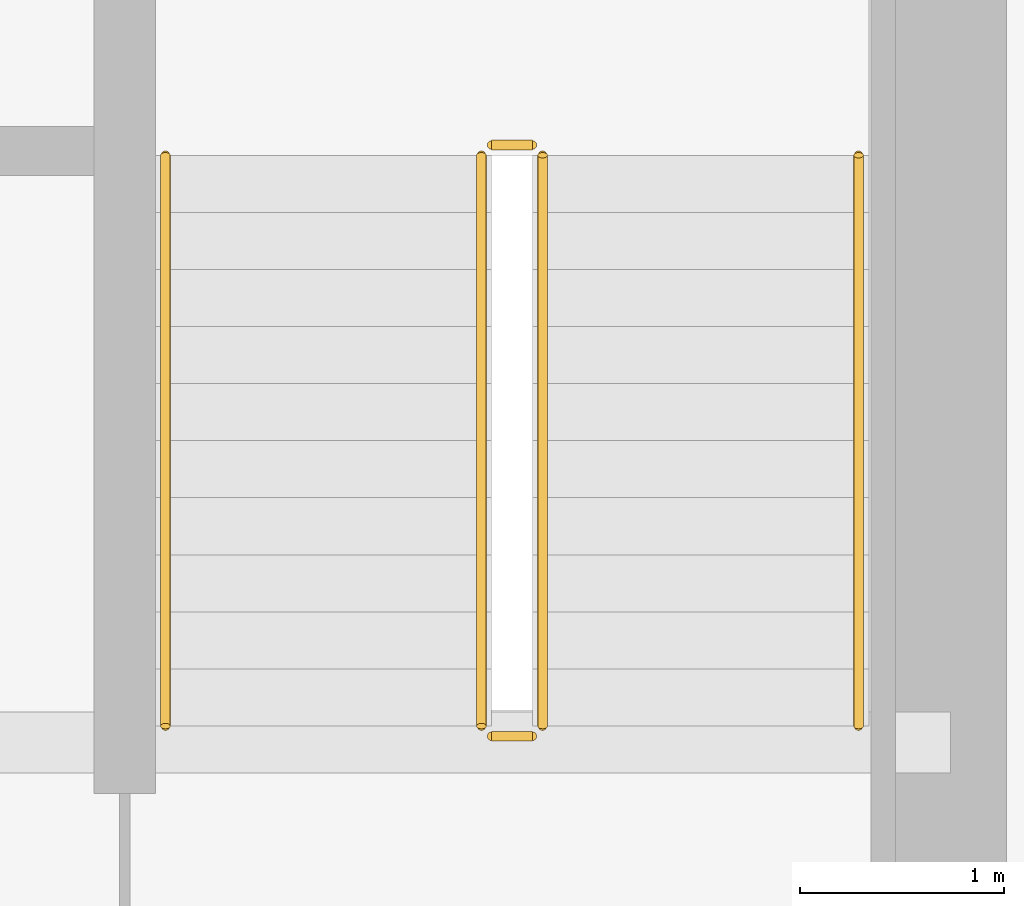
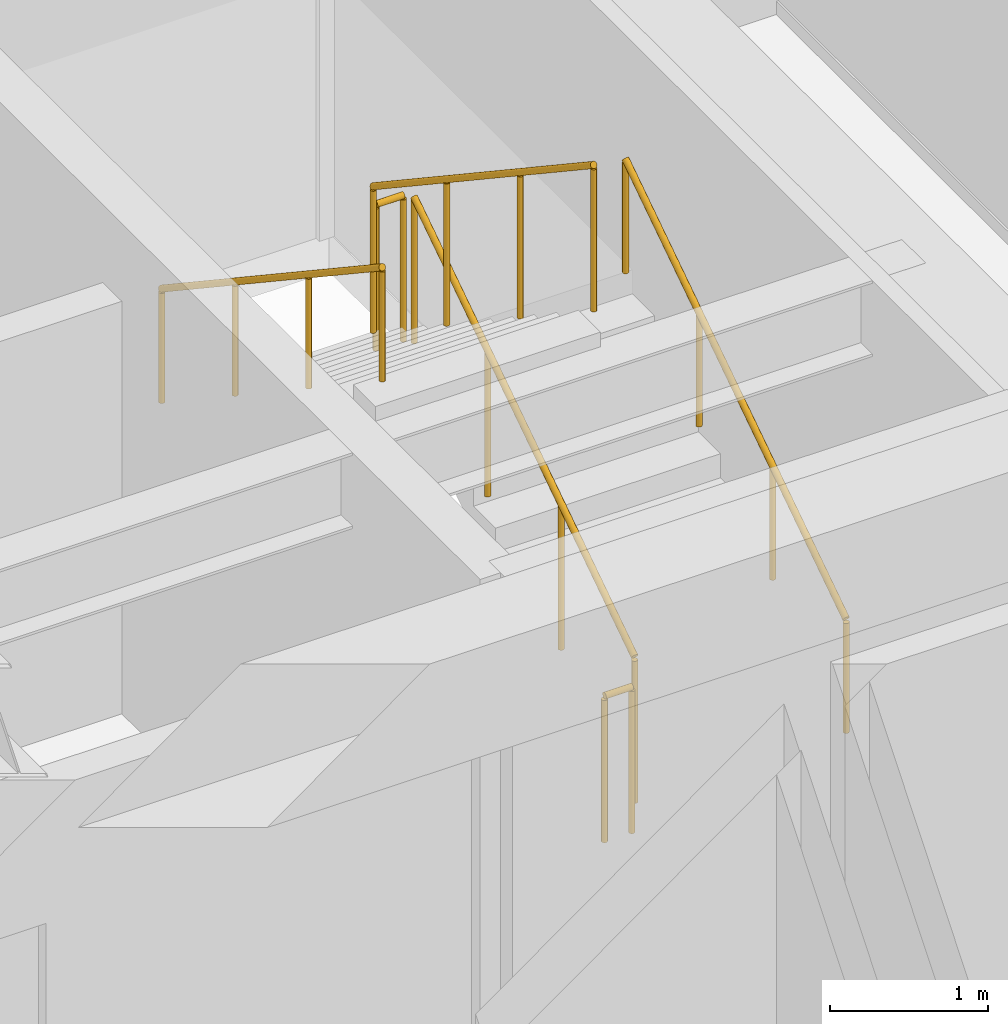
# One storey, part 33 of 33: 6 railings.
"""IFC4 building model written with IfcOpenShell, lengths in metres."""

from ifc_helpers import new_model, si_unit, direction, frame, origin, origin_2d, place, context, subcontext, project, spatial, circle, extrude, source, transform, mapped, material, type_object, type_shapes, element, save


model = new_model("IFC4")

# Units and contexts
model_context = context("Model", 3, precision=1e-05, world=origin(), true_north=direction((0.0, 1.0)))
body_context = subcontext(model_context, "Body", "Model", "MODEL_VIEW")
ifc_project = project(units=[si_unit("LENGTHUNIT", "METRE"), si_unit("AREAUNIT", "SQUARE_METRE"), si_unit("VOLUMEUNIT", "CUBIC_METRE"), si_unit("PLANEANGLEUNIT", "RADIAN"), si_unit("MASSUNIT", "GRAM", prefix="KILO")], contexts=[model_context])

# Site, building, storey
site_placement = place(None, origin())
site = spatial("IfcSite", under=ifc_project, at=site_placement, CompositionType="ELEMENT")
building_placement = place(site_placement, origin())
building = spatial("IfcBuilding", under=site, at=building_placement, Name="Haelvirn Gate Laboratories", CompositionType="ELEMENT")
storey_placement = place(building_placement, frame((0.0, 0.0, 271.10009765625)))
storey = spatial("IfcBuildingStorey", under=building, at=storey_placement, Name="L65", CompositionType="ELEMENT", Elevation=271.10009765625)

# Railings
ifc_material_1 = material(Name="Galvanised steel SM355 & stainless top rail", Category="steel")
railing_type_1 = type_object("IfcRailingType", Name="RL-GUARD-1150", PredefinedType="GUARDRAIL", material=ifc_material_1)
shared_shape_1 = source(origin(), body_context, "Body", "SweptSolid", [
    extrude(circle(Radius=0.02392578125, at=origin_2d()), frame((0.0, 0.0, 1.1259765625), z_axis=(0.0, 0.832485552168, 0.554046753832), x_axis=(-1.0, 0.0, 0.0)), (0.0, 0.0, 1.0), 3.363525390625),
    extrude(circle(Radius=0.02099609375, at=origin_2d()), origin(), (0.0, 0.0, 1.0), 1.101806640625),
    extrude(circle(Radius=0.02099609375, at=origin_2d()), frame((0.0, 0.933349609375, 0.62109375)), (0.0, 0.0, 1.0), 1.101806640625),
    extrude(circle(Radius=0.02099609375, at=origin_2d()), frame((0.0, 1.86669921875, 1.242431640625)), (0.0, 0.0, 1.0), 1.101806640625),
    extrude(circle(Radius=0.02099609375, at=origin_2d()), frame((0.0, 2.800048828125, 1.863525390625)), (0.0, 0.0, 1.0), 1.101806640625),
])
railing_1_placement = place(storey_placement, frame((65.39990234375, 26.699951171875, 0.186279296875)))
element("IfcRailing", 1, at=railing_1_placement, inside=storey, type_object=railing_type_1, Name="L65 ST2 stair guard 1", PredefinedType="GUARDRAIL", context=body_context, shape_type="MappedRepresentation", body=[
    mapped(shared_shape_1, transform((0.0, 0.0, 0.0), scale=1.0)),
])
ifc_material_2 = material(Name="Brushed stainless steel 316L", Category="steel")
railing_type_2 = type_object("IfcRailingType", Name="RL-HAND-920", PredefinedType="HANDRAIL", material=ifc_material_2)
shared_shape_2 = source(origin(), body_context, "Body", "SweptSolid", [
    extrude(circle(Radius=0.02392578125, at=origin_2d()), frame((0.0, 0.0, 0.8759765625), z_axis=(0.0, 0.832485552168, 0.554046753832), x_axis=(-1.0, 0.0, 0.0)), (0.0, 0.0, 1.0), 3.363525390625),
    extrude(circle(Radius=0.02099609375, at=origin_2d()), origin(), (0.0, 0.0, 1.0), 0.851806640625),
    extrude(circle(Radius=0.02099609375, at=origin_2d()), frame((0.0, 0.933349609375, 0.62109375)), (0.0, 0.0, 1.0), 0.851806640625),
    extrude(circle(Radius=0.02099609375, at=origin_2d()), frame((0.0, 1.86669921875, 1.242431640625)), (0.0, 0.0, 1.0), 0.851806640625),
    extrude(circle(Radius=0.02099609375, at=origin_2d()), frame((0.0, 2.800048828125, 1.863525390625)), (0.0, 0.0, 1.0), 0.851806640625),
])
railing_2_placement = place(storey_placement, frame((66.949951171875, 26.699951171875, 0.186279296875)))
element("IfcRailing", 2, at=railing_2_placement, inside=storey, type_object=railing_type_2, Name="L65 ST2 stair handrail 1", PredefinedType="HANDRAIL", context=body_context, shape_type="MappedRepresentation", body=[
    mapped(shared_shape_2, transform((0.0, 0.0, 0.0), scale=1.0)),
])
shared_shape_3 = source(origin(), body_context, "Body", "SweptSolid", [
    extrude(circle(Radius=0.02392578125, at=origin_2d()), frame((0.0, 0.0, 1.1259765625), z_axis=(0.0, -0.832485552168, 0.554046753832), x_axis=(1.0, 0.0, 0.0)), (0.0, 0.0, 1.0), 3.363525390625),
    extrude(circle(Radius=0.02099609375, at=origin_2d()), origin(), (0.0, 0.0, 1.0), 1.101806640625),
    extrude(circle(Radius=0.02099609375, at=origin_2d()), frame((0.0, -0.933349609375, 0.62109375)), (0.0, 0.0, 1.0), 1.101806640625),
    extrude(circle(Radius=0.02099609375, at=origin_2d()), frame((0.0, -1.86669921875, 1.242431640625)), (0.0, 0.0, 1.0), 1.101806640625),
    extrude(circle(Radius=0.02099609375, at=origin_2d()), frame((0.0, -2.800048828125, 1.863525390625)), (0.0, 0.0, 1.0), 1.101806640625),
])
railing_3_placement = place(storey_placement, frame((65.10009765625, 29.5, 2.236328125)))
element("IfcRailing", 3, at=railing_3_placement, inside=storey, type_object=railing_type_1, Name="L65 ST2 stair guard 3", PredefinedType="GUARDRAIL", context=body_context, shape_type="MappedRepresentation", body=[
    mapped(shared_shape_3, transform((0.0, 0.0, 0.0), scale=1.0)),
])
shared_shape_4 = source(origin(), body_context, "Body", "SweptSolid", [
    extrude(circle(Radius=0.02392578125, at=origin_2d()), frame((0.0, 0.0, 0.8759765625), z_axis=(0.0, -0.832485552168, 0.554046753832), x_axis=(1.0, 0.0, 0.0)), (0.0, 0.0, 1.0), 3.363525390625),
    extrude(circle(Radius=0.02099609375, at=origin_2d()), origin(), (0.0, 0.0, 1.0), 0.851806640625),
    extrude(circle(Radius=0.02099609375, at=origin_2d()), frame((0.0, -0.933349609375, 0.62109375)), (0.0, 0.0, 1.0), 0.851806640625),
    extrude(circle(Radius=0.02099609375, at=origin_2d()), frame((0.0, -1.86669921875, 1.242431640625)), (0.0, 0.0, 1.0), 0.851806640625),
    extrude(circle(Radius=0.02099609375, at=origin_2d()), frame((0.0, -2.800048828125, 1.863525390625)), (0.0, 0.0, 1.0), 0.851806640625),
])
type_shapes(railing_type_2, [shared_shape_2, shared_shape_4])
railing_4_placement = place(storey_placement, frame((63.550048828125, 29.5, 2.236328125)))
element("IfcRailing", 4, at=railing_4_placement, inside=storey, type_object=railing_type_2, Name="L65 ST2 stair handrail 2", PredefinedType="HANDRAIL", context=body_context, shape_type="MappedRepresentation", body=[
    mapped(shared_shape_4, transform((0.0, 0.0, 0.0), scale=1.0)),
])
shared_shape_5 = source(origin(), body_context, "Body", "SweptSolid", [
    extrude(circle(Radius=0.02392578125, at=origin_2d()), frame((0.0, 0.0, 1.1259765625), z_axis=(-1.0, 0.0, 0.0), x_axis=(0.0, -1.0, 0.0)), (0.0, 0.0, 1.0), 0.2001953125),
    extrude(circle(Radius=0.02099609375, at=origin_2d()), origin(), (0.0, 0.0, 1.0), 1.101806640625),
    extrude(circle(Radius=0.02099609375, at=origin_2d()), frame((-0.2001953125, 0.0, 0.0)), (0.0, 0.0, 1.0), 1.101806640625),
])
type_shapes(railing_type_1, [shared_shape_1, shared_shape_3, shared_shape_5])
for number, where, name in (
    (5, (65.35009765625, 29.550048828125, 2.0498046875), "L65 ST2 stair guard 2"),
    (6, (65.35009765625, 26.64990234375, 0.0), "L65 ST2 stair guard 4"),
):
    element("IfcRailing", number, at=place(storey_placement, frame(where)), inside=storey, type_object=railing_type_1, Name=name, PredefinedType="GUARDRAIL", context=body_context, shape_type="MappedRepresentation", body=[
        mapped(shared_shape_5, transform((0.0, 0.0, 0.0), scale=1.0)),
    ])

save(model, "model.ifc")
